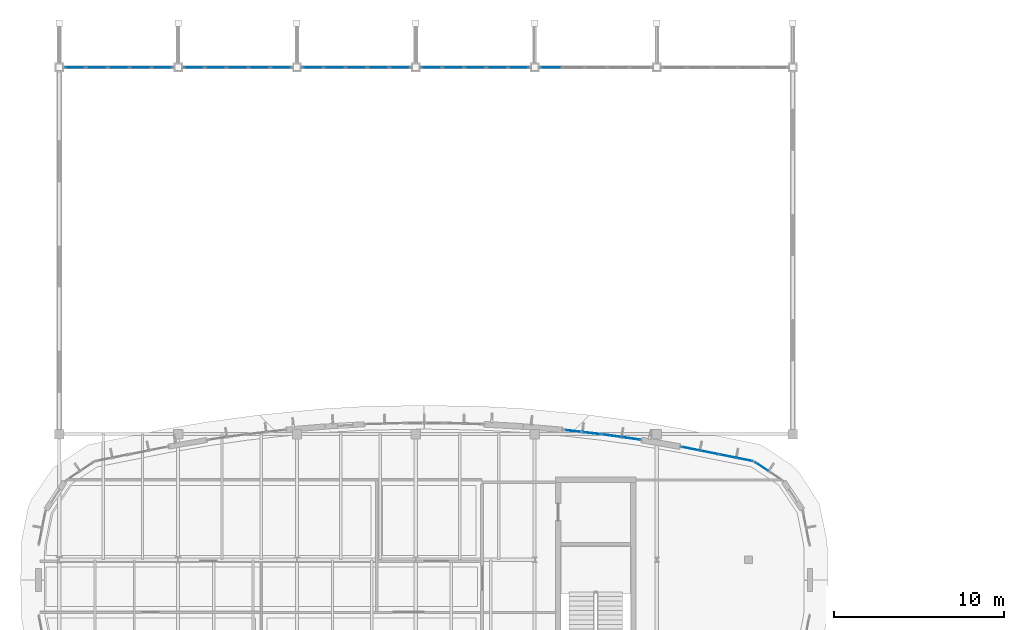
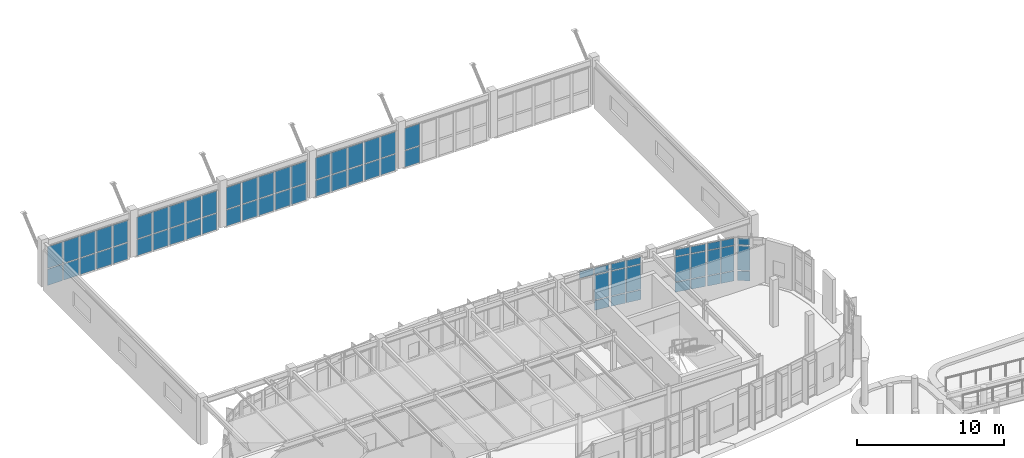
# One storey, part 74 of 111: 67 plates, 10 elements without a shape of their own.
"""IFC4 building model written with IfcOpenShell, lengths in metres."""

import ifcopenshell
import ifcopenshell.guid

model = None  # the IFC model being written
_history = None  # IfcOwnerHistory: only IFC2X3 demands one
_inside = {}  # id of a spatial element -> (the spatial element, [elements in it])
_under = {}  # id of a project, library or spatial element -> (it, [spatial elements below it])
_declared = {}  # id of a project -> (the project, [libraries it declares])
_typed = {}  # id of a type object -> (the type object, [elements of that type])
_made_of = {}  # id of a material, layer set ... -> (it, [elements and type objects made of it])


def new_model(schema):
    """Start an empty IFC model of exactly this schema.

    Asked for "IFC4X3", IfcOpenShell would pick the latest addendum, in which some entities
    have other attributes; the version numbers below select the first issue.
    IFC2X3 requires an IfcOwnerHistory on every rooted entity: one is made here for all.
    """
    global model, _history
    if schema == "IFC4X3":
        model = ifcopenshell.file(schema_version=(4, 3, 0, 0))
    else:
        model = ifcopenshell.file(schema=schema)
    _inside.clear()
    _under.clear()
    _declared.clear()
    _typed.clear()
    _made_of.clear()
    _history = None
    if model.schema == "IFC2X3":
        org = make("IfcOrganization", Name="unknown")
        user = make(
            "IfcPersonAndOrganization",
            ThePerson=make("IfcPerson", FamilyName="unknown"),
            TheOrganization=org,
        )
        app = make(
            "IfcApplication",
            ApplicationDeveloper=org,
            Version="unknown",
            ApplicationFullName="unknown",
            ApplicationIdentifier="unknown",
        )
        _history = make(
            "IfcOwnerHistory",
            OwningUser=user,
            OwningApplication=app,
            ChangeAction="ADDED",
            CreationDate=0,
        )
    return model


def make(cls, **values):
    """One entity of the class cls with the attributes given. An attribute that is None is left unset."""
    return model.create_entity(
        cls, **{name: value for name, value in values.items() if value is not None}
    )


def rooted(cls, **values):
    """An entity with a GlobalId (a new one), such as an element, a storey or a relation."""
    return make(cls, GlobalId=ifcopenshell.guid.new(), OwnerHistory=_history, **values)


def si_unit(unit_type, name, prefix=None):
    """IfcSIUnit, for example si_unit("LENGTHUNIT", "METRE", prefix="MILLI")."""
    return make("IfcSIUnit", UnitType=unit_type, Prefix=prefix, Name=name)


def assignment(units):
    """IfcUnitAssignment: the units of a project."""
    return None if units is None else make("IfcUnitAssignment", Units=units)


def point(xyz):
    """IfcCartesianPoint."""
    return None if xyz is None else make("IfcCartesianPoint", Coordinates=xyz)


def direction(xyz):
    """IfcDirection."""
    return None if xyz is None else make("IfcDirection", DirectionRatios=xyz)


def frame(location, z_axis=None, x_axis=None):
    """IfcAxis2Placement3D, a coordinate frame: its origin and axes. An axis left out is left unset."""
    return make(
        "IfcAxis2Placement3D",
        Location=point(location),
        Axis=direction(z_axis),
        RefDirection=direction(x_axis),
    )


def frame_2d(location, x_axis=None):
    """IfcAxis2Placement2D, a coordinate frame in the plane: its origin and x axis."""
    return make(
        "IfcAxis2Placement2D", Location=point(location), RefDirection=direction(x_axis)
    )


def origin():
    """The frame at (0, 0, 0) with its axes left unset."""
    return frame((0.0, 0.0, 0.0))


def origin_2d():
    """The frame at (0, 0) in the plane with its x axis left unset."""
    return frame_2d((0.0, 0.0))


def place(relative_to, where):
    """IfcLocalPlacement: puts the frame where relative to a parent placement (None: the world)."""
    return make(
        "IfcLocalPlacement", PlacementRelTo=relative_to, RelativePlacement=where
    )


def context(
    kind, dimensions, precision=None, world=None, true_north=None, identifier=None
):
    """IfcGeometricRepresentationContext, for example the 3D "Model" context."""
    return make(
        "IfcGeometricRepresentationContext",
        ContextIdentifier=identifier,
        ContextType=kind,
        CoordinateSpaceDimension=dimensions,
        Precision=precision,
        WorldCoordinateSystem=world,
        TrueNorth=true_north,
    )


def subcontext(parent, identifier, kind, view, scale=None):
    """IfcGeometricRepresentationSubContext, for example "Body" below "Model"."""
    return make(
        "IfcGeometricRepresentationSubContext",
        ContextIdentifier=identifier,
        ContextType=kind,
        ParentContext=parent,
        TargetScale=scale,
        TargetView=view,
    )


def project(units=None, contexts=None):
    """IfcProject with its units and contexts."""
    return rooted(
        "IfcProject",
        Name="project",
        RepresentationContexts=contexts,
        UnitsInContext=assignment(units),
    )


def spatial(cls, under=None, at=None, **own):
    """A site, building, storey or space (cls), placed at a placement, below another one or the project."""
    s = rooted(cls, ObjectPlacement=at, **own)
    if under is not None:
        _under.setdefault(under.id(), (under, []))[1].append(s)
    return s


def profile(cls, at=None, kind="AREA", **sizes):
    """A parametric profile (cls). Its sizes go by their IFC names, for example OverallWidth=200.0."""
    return make(cls, ProfileType=kind, Position=at, **sizes)


def rectangle(**sizes):
    """IfcRectangleProfileDef."""
    return profile("IfcRectangleProfileDef", **sizes)


def extrude(swept, where, along, depth):
    """IfcExtrudedAreaSolid: the profile swept, set in the frame where, extruded along a direction by depth."""
    return make(
        "IfcExtrudedAreaSolid",
        SweptArea=swept,
        Position=where,
        ExtrudedDirection=direction(along),
        Depth=depth,
    )


def shape(context_of_items, identifier, shape_type, items):
    """IfcShapeRepresentation: the items that make up one representation, for example the "Body"."""
    return make(
        "IfcShapeRepresentation",
        ContextOfItems=context_of_items,
        RepresentationIdentifier=identifier,
        RepresentationType=shape_type,
        Items=items,
    )


def material(Name=None, Category=None):
    """IfcMaterial."""
    return make("IfcMaterial", Name=Name, Category=Category)


def layer(
    of_material, thickness, ventilated=None, Name=None, Category=None, Priority=None
):
    """IfcMaterialLayer: one layer of a wall or slab, of a material (None: an air gap)."""
    return make(
        "IfcMaterialLayer",
        Material=of_material,
        LayerThickness=thickness,
        IsVentilated=ventilated,
        Name=Name,
        Category=Category,
        Priority=Priority,
    )


def layer_set(layers, Name=None):
    """IfcMaterialLayerSet."""
    return make("IfcMaterialLayerSet", MaterialLayers=layers, LayerSetName=Name)


def made_of(thing, what):
    """Note that an element or type object is made of a material, layer set ...; save() writes the relation."""
    if what is not None:
        _made_of.setdefault(what.id(), (what, []))[1].append(thing)
    return thing


def type_object(cls, material=None, **own):
    """A type object (cls), such as IfcWallType, which elements share."""
    return made_of(rooted(cls, **own), material)


def element(
    cls,
    number,
    at=None,
    inside=None,
    cuts=None,
    type_object=None,
    material=None,
    context=None,
    identifier="Body",
    shape_type=None,
    held_by="IfcProductDefinitionShape",
    body=None,
    shapes=None,
    **own,
):
    """One element of the class cls, such as IfcWall. Its Tag is "e" and its number.

    at: its placement. inside: the storey or other place that contains it. cuts: it is an
    opening in that element (IfcRelVoidsElement). A single representation is given by context,
    identifier, shape_type and body (its items); several are given by shapes. held_by: the class
    of the entity that holds the representations. save() writes the other relations.
    """
    e = rooted(cls, Tag="e%d" % number, ObjectPlacement=at, **own)
    if body is not None:
        shapes = [shape(context, identifier, shape_type, body)]
    if shapes is not None:
        e.Representation = make(held_by, Representations=shapes)
    if inside is not None:
        _inside.setdefault(inside.id(), (inside, []))[1].append(e)
    if cuts is not None:
        rooted(
            "IfcRelVoidsElement", RelatingBuildingElement=cuts, RelatedOpeningElement=e
        )
    if type_object is not None:
        _typed.setdefault(type_object.id(), (type_object, []))[1].append(e)
    return made_of(e, material)


def aggregate(whole, parts):
    """IfcRelAggregates: a whole, such as a stair, and the parts it consists of."""
    return rooted("IfcRelAggregates", RelatingObject=whole, RelatedObjects=parts)


def save(model, path):
    """Write the relations noted so far, then the file.

    IfcRelAggregates (storeys below a building ...), IfcRelContainedInSpatialStructure (elements
    in a storey), IfcRelDefinesByType, IfcRelAssociatesMaterial and IfcRelDeclares: one each for
    every whole, place, type object, material and project.
    """
    for whole, parts in _under.values():
        aggregate(whole, parts)
    for where, things in _inside.values():
        rooted(
            "IfcRelContainedInSpatialStructure",
            RelatedElements=things,
            RelatingStructure=where,
        )
    for kind, things in _typed.values():
        rooted("IfcRelDefinesByType", RelatedObjects=things, RelatingType=kind)
    for what, things in _made_of.values():
        rooted("IfcRelAssociatesMaterial", RelatedObjects=things, RelatingMaterial=what)
    for by, libraries in _declared.values():
        rooted("IfcRelDeclares", RelatingContext=by, RelatedDefinitions=libraries)
    model.write(path)


model = new_model("IFC4")

# Units and contexts
model_context = context("Model", 3, precision=1e-05, world=origin(), true_north=direction((0.0, 1.0)))
body_context = subcontext(model_context, "Body", "Model", "MODEL_VIEW")
ifc_project = project(units=[si_unit("LENGTHUNIT", "METRE"), si_unit("AREAUNIT", "SQUARE_METRE"), si_unit("VOLUMEUNIT", "CUBIC_METRE"), si_unit("PLANEANGLEUNIT", "RADIAN"), si_unit("MASSUNIT", "GRAM", prefix="KILO")], contexts=[model_context])

# Site, building, storey
site_placement = place(None, origin())
site = spatial("IfcSite", under=ifc_project, at=site_placement, CompositionType="ELEMENT")
building_placement = place(site_placement, origin())
building = spatial("IfcBuilding", under=site, at=building_placement, Name="Corveleigh Park Community Centre", CompositionType="ELEMENT")
storey_placement = place(building_placement, frame((0.0, 0.0, 4.800048828125)))
storey = spatial("IfcBuildingStorey", under=building, at=storey_placement, Name="L01", CompositionType="ELEMENT", Elevation=4.800048828125)

# Curtain wall, plates
ifc_material_1 = material(Name="Anodised aluminium 6063-T6", Category="aluminium")
curtain_wall_type = type_object("IfcCurtainWallType", Name="CW-SYS-V2-HALL", PredefinedType="NOTDEFINED", material=ifc_material_1)
curtain_wall_1_placement = place(storey_placement, origin())
curtain_wall_1 = element("IfcCurtainWall", 1, at=curtain_wall_1_placement, inside=storey, type_object=curtain_wall_type, Name="V2 L01 Curtain Wall 210", PredefinedType="NOTDEFINED")
ifc_material_2 = material(Name="Low-E double glazing", Category="glass")
ifc_layer_1 = layer(ifc_material_2, 0.031982421875, Name="Low-E double glazing", Category="glass")
ifc_layer_set_1 = layer_set([ifc_layer_1], Name="Low-E double glazing")
plate_type_1 = type_object("IfcPlateType", Name="CWP-GLZ-32", PredefinedType="CURTAIN_PANEL", material=ifc_layer_set_1)
plate_1_placement = place(storey_placement, frame((52.5791015625, 90.880859375, 0.080078125), z_axis=(0.0, 0.0, 1.0), x_axis=(0.831508500991, -0.555512027575, 0.0)))
plate_1 = element("IfcPlate", 2, at=plate_1_placement, type_object=plate_type_1, Name="CW04 panel 1.1", PredefinedType="CURTAIN_PANEL", context=body_context, shape_type="SweptSolid", body=[
    extrude(rectangle(XDim=0.8671875, YDim=0.031982421875, at=origin_2d()), origin(), (0.0, 0.0, 1.0), 0.780029296875),
])
plate_2_placement = place(storey_placement, frame((52.5791015625, 90.880859375, 0.93994140625), z_axis=(0.0, 0.0, 1.0), x_axis=(0.831508500991, -0.555512027575, 0.0)))
plate_2 = element("IfcPlate", 3, at=plate_2_placement, type_object=plate_type_1, Name="CW04 panel 1.2", PredefinedType="CURTAIN_PANEL", context=body_context, shape_type="SweptSolid", body=[
    extrude(rectangle(XDim=0.8671875, YDim=0.031982421875, at=origin_2d()), origin(), (0.0, 0.0, 1.0), 2.027099609375),
])
plate_3_placement = place(storey_placement, frame((52.5791015625, 90.880859375, 3.046875), z_axis=(0.0, 0.0, 1.0), x_axis=(0.831508500991, -0.555512027575, 0.0)))
plate_3 = element("IfcPlate", 4, at=plate_3_placement, type_object=plate_type_1, Name="CW04 panel 1.3", PredefinedType="CURTAIN_PANEL", context=body_context, shape_type="SweptSolid", body=[
    extrude(rectangle(XDim=0.8671875, YDim=0.031982421875, at=origin_2d()), origin(), (0.0, 0.0, 1.0), 0.530029296875),
])
aggregate(curtain_wall_1, [plate_1, plate_2, plate_3])

curtain_wall_2_placement = place(storey_placement, origin())
curtain_wall_2 = element("IfcCurtainWall", 5, at=curtain_wall_2_placement, inside=storey, type_object=curtain_wall_type, Name="Sports Hall North Clerestory CW 1", PredefinedType="NOTDEFINED")
plate_4_placement = place(storey_placement, frame((17.26123046875, 114.39990234375, -0.21826171875), z_axis=(0.0, 0.0, 1.0), x_axis=(-1.0, 0.0, 0.0)))
plate_4 = element("IfcPlate", 6, at=plate_4_placement, type_object=plate_type_1, Name="CW04 panel 1.1", PredefinedType="CURTAIN_PANEL", context=body_context, shape_type="SweptSolid", body=[
    extrude(rectangle(XDim=1.177490234375, YDim=0.031982421875, at=origin_2d()), origin(), (0.0, 0.0, 1.0), 1.344970703125),
])
plate_5_placement = place(storey_placement, frame((17.26123046875, 114.39990234375, 1.197021484375), z_axis=(0.0, 0.0, 1.0), x_axis=(-1.0, 0.0, 0.0)))
plate_5 = element("IfcPlate", 7, at=plate_5_placement, type_object=plate_type_1, Name="CW04 panel 1.2", PredefinedType="CURTAIN_PANEL", context=body_context, shape_type="SweptSolid", body=[
    extrude(rectangle(XDim=1.177490234375, YDim=0.031982421875, at=origin_2d()), origin(), (0.0, 0.0, 1.0), 1.7958984375),
])
plate_6_placement = place(storey_placement, frame((15.989990234375, 114.39990234375, -0.21826171875), z_axis=(0.0, 0.0, 1.0), x_axis=(-1.0, 0.0, 0.0)))
plate_6 = element("IfcPlate", 8, at=plate_6_placement, type_object=plate_type_1, Name="CW04 panel 2.1", PredefinedType="CURTAIN_PANEL", context=body_context, shape_type="SweptSolid", body=[
    extrude(rectangle(XDim=1.215087890625, YDim=0.031982421875, at=origin_2d()), origin(), (0.0, 0.0, 1.0), 1.344970703125),
])
plate_7_placement = place(storey_placement, frame((15.989990234375, 114.39990234375, 1.197021484375), z_axis=(0.0, 0.0, 1.0), x_axis=(-1.0, 0.0, 0.0)))
plate_7 = element("IfcPlate", 9, at=plate_7_placement, type_object=plate_type_1, Name="CW04 panel 2.2", PredefinedType="CURTAIN_PANEL", context=body_context, shape_type="SweptSolid", body=[
    extrude(rectangle(XDim=1.215087890625, YDim=0.031982421875, at=origin_2d()), origin(), (0.0, 0.0, 1.0), 1.7958984375),
])
plate_8_placement = place(storey_placement, frame((14.699951171875, 114.39990234375, -0.21826171875), z_axis=(0.0, 0.0, 1.0), x_axis=(-1.0, 0.0, 0.0)))
plate_8 = element("IfcPlate", 10, at=plate_8_placement, type_object=plate_type_1, Name="CW04 panel 3.1", PredefinedType="CURTAIN_PANEL", context=body_context, shape_type="SweptSolid", body=[
    extrude(rectangle(XDim=1.215087890625, YDim=0.031982421875, at=origin_2d()), origin(), (0.0, 0.0, 1.0), 1.344970703125),
])
plate_9_placement = place(storey_placement, frame((14.699951171875, 114.39990234375, 1.197021484375), z_axis=(0.0, 0.0, 1.0), x_axis=(-1.0, 0.0, 0.0)))
plate_9 = element("IfcPlate", 11, at=plate_9_placement, type_object=plate_type_1, Name="CW04 panel 3.2", PredefinedType="CURTAIN_PANEL", context=body_context, shape_type="SweptSolid", body=[
    extrude(rectangle(XDim=1.215087890625, YDim=0.031982421875, at=origin_2d()), origin(), (0.0, 0.0, 1.0), 1.7958984375),
])
plate_10_placement = place(storey_placement, frame((13.409912109375, 114.39990234375, -0.21826171875), z_axis=(0.0, 0.0, 1.0), x_axis=(-1.0, 0.0, 0.0)))
plate_10 = element("IfcPlate", 12, at=plate_10_placement, type_object=plate_type_1, Name="CW04 panel 4.1", PredefinedType="CURTAIN_PANEL", context=body_context, shape_type="SweptSolid", body=[
    extrude(rectangle(XDim=1.215087890625, YDim=0.031982421875, at=origin_2d()), origin(), (0.0, 0.0, 1.0), 1.344970703125),
])
plate_11_placement = place(storey_placement, frame((13.409912109375, 114.39990234375, 1.197021484375), z_axis=(0.0, 0.0, 1.0), x_axis=(-1.0, 0.0, 0.0)))
plate_11 = element("IfcPlate", 13, at=plate_11_placement, type_object=plate_type_1, Name="CW04 panel 4.2", PredefinedType="CURTAIN_PANEL", context=body_context, shape_type="SweptSolid", body=[
    extrude(rectangle(XDim=1.215087890625, YDim=0.031982421875, at=origin_2d()), origin(), (0.0, 0.0, 1.0), 1.7958984375),
])
plate_12_placement = place(storey_placement, frame((12.138671875, 114.39990234375, -0.21826171875), z_axis=(0.0, 0.0, 1.0), x_axis=(-1.0, 0.0, 0.0)))
plate_12 = element("IfcPlate", 14, at=plate_12_placement, type_object=plate_type_1, Name="CW04 panel 5.1", PredefinedType="CURTAIN_PANEL", context=body_context, shape_type="SweptSolid", body=[
    extrude(rectangle(XDim=1.177490234375, YDim=0.031982421875, at=origin_2d()), origin(), (0.0, 0.0, 1.0), 1.344970703125),
])
plate_13_placement = place(storey_placement, frame((12.138671875, 114.39990234375, 1.197021484375), z_axis=(0.0, 0.0, 1.0), x_axis=(-1.0, 0.0, 0.0)))
plate_13 = element("IfcPlate", 15, at=plate_13_placement, type_object=plate_type_1, Name="CW04 panel 5.2", PredefinedType="CURTAIN_PANEL", context=body_context, shape_type="SweptSolid", body=[
    extrude(rectangle(XDim=1.177490234375, YDim=0.031982421875, at=origin_2d()), origin(), (0.0, 0.0, 1.0), 1.7958984375),
])
aggregate(curtain_wall_2, [plate_4, plate_5, plate_6, plate_7, plate_8, plate_9, plate_10, plate_11, plate_12, plate_13])

curtain_wall_3_placement = place(storey_placement, origin())
curtain_wall_3 = element("IfcCurtainWall", 16, at=curtain_wall_3_placement, inside=storey, type_object=curtain_wall_type, Name="Sports Hall North Clerestory CW 2", PredefinedType="NOTDEFINED")
plate_14_placement = place(storey_placement, frame((24.26123046875, 114.39990234375, -0.21826171875), z_axis=(0.0, 0.0, 1.0), x_axis=(-1.0, 0.0, 0.0)))
plate_14 = element("IfcPlate", 17, at=plate_14_placement, type_object=plate_type_1, Name="CW04 panel 1.1", PredefinedType="CURTAIN_PANEL", context=body_context, shape_type="SweptSolid", body=[
    extrude(rectangle(XDim=1.177490234375, YDim=0.031982421875, at=origin_2d()), origin(), (0.0, 0.0, 1.0), 1.344970703125),
])
plate_15_placement = place(storey_placement, frame((24.26123046875, 114.39990234375, 1.197021484375), z_axis=(0.0, 0.0, 1.0), x_axis=(-1.0, 0.0, 0.0)))
plate_15 = element("IfcPlate", 18, at=plate_15_placement, type_object=plate_type_1, Name="CW04 panel 1.2", PredefinedType="CURTAIN_PANEL", context=body_context, shape_type="SweptSolid", body=[
    extrude(rectangle(XDim=1.177490234375, YDim=0.031982421875, at=origin_2d()), origin(), (0.0, 0.0, 1.0), 1.7958984375),
])
plate_16_placement = place(storey_placement, frame((22.989990234375, 114.39990234375, -0.21826171875), z_axis=(0.0, 0.0, 1.0), x_axis=(-1.0, 0.0, 0.0)))
plate_16 = element("IfcPlate", 19, at=plate_16_placement, type_object=plate_type_1, Name="CW04 panel 2.1", PredefinedType="CURTAIN_PANEL", context=body_context, shape_type="SweptSolid", body=[
    extrude(rectangle(XDim=1.215087890625, YDim=0.031982421875, at=origin_2d()), origin(), (0.0, 0.0, 1.0), 1.344970703125),
])
plate_17_placement = place(storey_placement, frame((22.989990234375, 114.39990234375, 1.197021484375), z_axis=(0.0, 0.0, 1.0), x_axis=(-1.0, 0.0, 0.0)))
plate_17 = element("IfcPlate", 20, at=plate_17_placement, type_object=plate_type_1, Name="CW04 panel 2.2", PredefinedType="CURTAIN_PANEL", context=body_context, shape_type="SweptSolid", body=[
    extrude(rectangle(XDim=1.215087890625, YDim=0.031982421875, at=origin_2d()), origin(), (0.0, 0.0, 1.0), 1.7958984375),
])
plate_18_placement = place(storey_placement, frame((21.699951171875, 114.39990234375, -0.21826171875), z_axis=(0.0, 0.0, 1.0), x_axis=(-1.0, 0.0, 0.0)))
plate_18 = element("IfcPlate", 21, at=plate_18_placement, type_object=plate_type_1, Name="CW04 panel 3.1", PredefinedType="CURTAIN_PANEL", context=body_context, shape_type="SweptSolid", body=[
    extrude(rectangle(XDim=1.215087890625, YDim=0.031982421875, at=origin_2d()), origin(), (0.0, 0.0, 1.0), 1.344970703125),
])
plate_19_placement = place(storey_placement, frame((21.699951171875, 114.39990234375, 1.197021484375), z_axis=(0.0, 0.0, 1.0), x_axis=(-1.0, 0.0, 0.0)))
plate_19 = element("IfcPlate", 22, at=plate_19_placement, type_object=plate_type_1, Name="CW04 panel 3.2", PredefinedType="CURTAIN_PANEL", context=body_context, shape_type="SweptSolid", body=[
    extrude(rectangle(XDim=1.215087890625, YDim=0.031982421875, at=origin_2d()), origin(), (0.0, 0.0, 1.0), 1.7958984375),
])
plate_20_placement = place(storey_placement, frame((20.409912109375, 114.39990234375, -0.21826171875), z_axis=(0.0, 0.0, 1.0), x_axis=(-1.0, 0.0, 0.0)))
plate_20 = element("IfcPlate", 23, at=plate_20_placement, type_object=plate_type_1, Name="CW04 panel 4.1", PredefinedType="CURTAIN_PANEL", context=body_context, shape_type="SweptSolid", body=[
    extrude(rectangle(XDim=1.215087890625, YDim=0.031982421875, at=origin_2d()), origin(), (0.0, 0.0, 1.0), 1.344970703125),
])
plate_21_placement = place(storey_placement, frame((20.409912109375, 114.39990234375, 1.197021484375), z_axis=(0.0, 0.0, 1.0), x_axis=(-1.0, 0.0, 0.0)))
plate_21 = element("IfcPlate", 24, at=plate_21_placement, type_object=plate_type_1, Name="CW04 panel 4.2", PredefinedType="CURTAIN_PANEL", context=body_context, shape_type="SweptSolid", body=[
    extrude(rectangle(XDim=1.215087890625, YDim=0.031982421875, at=origin_2d()), origin(), (0.0, 0.0, 1.0), 1.7958984375),
])
plate_22_placement = place(storey_placement, frame((19.138671875, 114.39990234375, -0.21826171875), z_axis=(0.0, 0.0, 1.0), x_axis=(-1.0, 0.0, 0.0)))
plate_22 = element("IfcPlate", 25, at=plate_22_placement, type_object=plate_type_1, Name="CW04 panel 5.1", PredefinedType="CURTAIN_PANEL", context=body_context, shape_type="SweptSolid", body=[
    extrude(rectangle(XDim=1.177490234375, YDim=0.031982421875, at=origin_2d()), origin(), (0.0, 0.0, 1.0), 1.344970703125),
])
plate_23_placement = place(storey_placement, frame((19.138671875, 114.39990234375, 1.197021484375), z_axis=(0.0, 0.0, 1.0), x_axis=(-1.0, 0.0, 0.0)))
plate_23 = element("IfcPlate", 26, at=plate_23_placement, type_object=plate_type_1, Name="CW04 panel 5.2", PredefinedType="CURTAIN_PANEL", context=body_context, shape_type="SweptSolid", body=[
    extrude(rectangle(XDim=1.177490234375, YDim=0.031982421875, at=origin_2d()), origin(), (0.0, 0.0, 1.0), 1.7958984375),
])
aggregate(curtain_wall_3, [plate_14, plate_15, plate_16, plate_17, plate_18, plate_19, plate_20, plate_21, plate_22, plate_23])

curtain_wall_4_placement = place(storey_placement, origin())
curtain_wall_4 = element("IfcCurtainWall", 27, at=curtain_wall_4_placement, inside=storey, type_object=curtain_wall_type, Name="Sports Hall North Clerestory CW 3", PredefinedType="NOTDEFINED")
plate_24_placement = place(storey_placement, frame((31.26123046875, 114.39990234375, -0.21826171875), z_axis=(0.0, 0.0, 1.0), x_axis=(-1.0, 0.0, 0.0)))
plate_24 = element("IfcPlate", 28, at=plate_24_placement, type_object=plate_type_1, Name="CW04 panel 1.1", PredefinedType="CURTAIN_PANEL", context=body_context, shape_type="SweptSolid", body=[
    extrude(rectangle(XDim=1.177490234375, YDim=0.031982421875, at=origin_2d()), origin(), (0.0, 0.0, 1.0), 1.344970703125),
])
plate_25_placement = place(storey_placement, frame((31.26123046875, 114.39990234375, 1.197021484375), z_axis=(0.0, 0.0, 1.0), x_axis=(-1.0, 0.0, 0.0)))
plate_25 = element("IfcPlate", 29, at=plate_25_placement, type_object=plate_type_1, Name="CW04 panel 1.2", PredefinedType="CURTAIN_PANEL", context=body_context, shape_type="SweptSolid", body=[
    extrude(rectangle(XDim=1.177490234375, YDim=0.031982421875, at=origin_2d()), origin(), (0.0, 0.0, 1.0), 1.7958984375),
])
plate_26_placement = place(storey_placement, frame((29.989990234375, 114.39990234375, -0.21826171875), z_axis=(0.0, 0.0, 1.0), x_axis=(-1.0, 0.0, 0.0)))
plate_26 = element("IfcPlate", 30, at=plate_26_placement, type_object=plate_type_1, Name="CW04 panel 2.1", PredefinedType="CURTAIN_PANEL", context=body_context, shape_type="SweptSolid", body=[
    extrude(rectangle(XDim=1.215087890625, YDim=0.031982421875, at=origin_2d()), origin(), (0.0, 0.0, 1.0), 1.344970703125),
])
plate_27_placement = place(storey_placement, frame((29.989990234375, 114.39990234375, 1.197021484375), z_axis=(0.0, 0.0, 1.0), x_axis=(-1.0, 0.0, 0.0)))
plate_27 = element("IfcPlate", 31, at=plate_27_placement, type_object=plate_type_1, Name="CW04 panel 2.2", PredefinedType="CURTAIN_PANEL", context=body_context, shape_type="SweptSolid", body=[
    extrude(rectangle(XDim=1.215087890625, YDim=0.031982421875, at=origin_2d()), origin(), (0.0, 0.0, 1.0), 1.7958984375),
])
plate_28_placement = place(storey_placement, frame((28.699951171875, 114.39990234375, -0.21826171875), z_axis=(0.0, 0.0, 1.0), x_axis=(-1.0, 0.0, 0.0)))
plate_28 = element("IfcPlate", 32, at=plate_28_placement, type_object=plate_type_1, Name="CW04 panel 3.1", PredefinedType="CURTAIN_PANEL", context=body_context, shape_type="SweptSolid", body=[
    extrude(rectangle(XDim=1.215087890625, YDim=0.031982421875, at=origin_2d()), origin(), (0.0, 0.0, 1.0), 1.344970703125),
])
plate_29_placement = place(storey_placement, frame((28.699951171875, 114.39990234375, 1.197021484375), z_axis=(0.0, 0.0, 1.0), x_axis=(-1.0, 0.0, 0.0)))
plate_29 = element("IfcPlate", 33, at=plate_29_placement, type_object=plate_type_1, Name="CW04 panel 3.2", PredefinedType="CURTAIN_PANEL", context=body_context, shape_type="SweptSolid", body=[
    extrude(rectangle(XDim=1.215087890625, YDim=0.031982421875, at=origin_2d()), origin(), (0.0, 0.0, 1.0), 1.7958984375),
])
plate_30_placement = place(storey_placement, frame((27.409912109375, 114.39990234375, -0.21826171875), z_axis=(0.0, 0.0, 1.0), x_axis=(-1.0, 0.0, 0.0)))
plate_30 = element("IfcPlate", 34, at=plate_30_placement, type_object=plate_type_1, Name="CW04 panel 4.1", PredefinedType="CURTAIN_PANEL", context=body_context, shape_type="SweptSolid", body=[
    extrude(rectangle(XDim=1.215087890625, YDim=0.031982421875, at=origin_2d()), origin(), (0.0, 0.0, 1.0), 1.344970703125),
])
plate_31_placement = place(storey_placement, frame((27.409912109375, 114.39990234375, 1.197021484375), z_axis=(0.0, 0.0, 1.0), x_axis=(-1.0, 0.0, 0.0)))
plate_31 = element("IfcPlate", 35, at=plate_31_placement, type_object=plate_type_1, Name="CW04 panel 4.2", PredefinedType="CURTAIN_PANEL", context=body_context, shape_type="SweptSolid", body=[
    extrude(rectangle(XDim=1.215087890625, YDim=0.031982421875, at=origin_2d()), origin(), (0.0, 0.0, 1.0), 1.7958984375),
])
plate_32_placement = place(storey_placement, frame((26.138671875, 114.39990234375, -0.21826171875), z_axis=(0.0, 0.0, 1.0), x_axis=(-1.0, 0.0, 0.0)))
plate_32 = element("IfcPlate", 36, at=plate_32_placement, type_object=plate_type_1, Name="CW04 panel 5.1", PredefinedType="CURTAIN_PANEL", context=body_context, shape_type="SweptSolid", body=[
    extrude(rectangle(XDim=1.177490234375, YDim=0.031982421875, at=origin_2d()), origin(), (0.0, 0.0, 1.0), 1.344970703125),
])
plate_33_placement = place(storey_placement, frame((26.138671875, 114.39990234375, 1.197021484375), z_axis=(0.0, 0.0, 1.0), x_axis=(-1.0, 0.0, 0.0)))
plate_33 = element("IfcPlate", 37, at=plate_33_placement, type_object=plate_type_1, Name="CW04 panel 5.2", PredefinedType="CURTAIN_PANEL", context=body_context, shape_type="SweptSolid", body=[
    extrude(rectangle(XDim=1.177490234375, YDim=0.031982421875, at=origin_2d()), origin(), (0.0, 0.0, 1.0), 1.7958984375),
])
aggregate(curtain_wall_4, [plate_24, plate_25, plate_26, plate_27, plate_28, plate_29, plate_30, plate_31, plate_32, plate_33])

curtain_wall_5_placement = place(storey_placement, origin())
curtain_wall_5 = element("IfcCurtainWall", 38, at=curtain_wall_5_placement, inside=storey, type_object=curtain_wall_type, Name="Sports Hall North Clerestory CW 4", PredefinedType="NOTDEFINED")
plate_34_placement = place(storey_placement, frame((38.26123046875, 114.39990234375, -0.21826171875), z_axis=(0.0, 0.0, 1.0), x_axis=(-1.0, 0.0, 0.0)))
plate_34 = element("IfcPlate", 39, at=plate_34_placement, type_object=plate_type_1, Name="CW04 panel 1.1", PredefinedType="CURTAIN_PANEL", context=body_context, shape_type="SweptSolid", body=[
    extrude(rectangle(XDim=1.177490234375, YDim=0.031982421875, at=origin_2d()), origin(), (0.0, 0.0, 1.0), 1.344970703125),
])
plate_35_placement = place(storey_placement, frame((38.26123046875, 114.39990234375, 1.197021484375), z_axis=(0.0, 0.0, 1.0), x_axis=(-1.0, 0.0, 0.0)))
plate_35 = element("IfcPlate", 40, at=plate_35_placement, type_object=plate_type_1, Name="CW04 panel 1.2", PredefinedType="CURTAIN_PANEL", context=body_context, shape_type="SweptSolid", body=[
    extrude(rectangle(XDim=1.177490234375, YDim=0.031982421875, at=origin_2d()), origin(), (0.0, 0.0, 1.0), 1.7958984375),
])
plate_36_placement = place(storey_placement, frame((36.989990234375, 114.39990234375, -0.21826171875), z_axis=(0.0, 0.0, 1.0), x_axis=(-1.0, 0.0, 0.0)))
plate_36 = element("IfcPlate", 41, at=plate_36_placement, type_object=plate_type_1, Name="CW04 panel 2.1", PredefinedType="CURTAIN_PANEL", context=body_context, shape_type="SweptSolid", body=[
    extrude(rectangle(XDim=1.215087890625, YDim=0.031982421875, at=origin_2d()), origin(), (0.0, 0.0, 1.0), 1.344970703125),
])
plate_37_placement = place(storey_placement, frame((36.989990234375, 114.39990234375, 1.197021484375), z_axis=(0.0, 0.0, 1.0), x_axis=(-1.0, 0.0, 0.0)))
plate_37 = element("IfcPlate", 42, at=plate_37_placement, type_object=plate_type_1, Name="CW04 panel 2.2", PredefinedType="CURTAIN_PANEL", context=body_context, shape_type="SweptSolid", body=[
    extrude(rectangle(XDim=1.215087890625, YDim=0.031982421875, at=origin_2d()), origin(), (0.0, 0.0, 1.0), 1.7958984375),
])
plate_38_placement = place(storey_placement, frame((35.699951171875, 114.39990234375, -0.21826171875), z_axis=(0.0, 0.0, 1.0), x_axis=(-1.0, 0.0, 0.0)))
plate_38 = element("IfcPlate", 43, at=plate_38_placement, type_object=plate_type_1, Name="CW04 panel 3.1", PredefinedType="CURTAIN_PANEL", context=body_context, shape_type="SweptSolid", body=[
    extrude(rectangle(XDim=1.215087890625, YDim=0.031982421875, at=origin_2d()), origin(), (0.0, 0.0, 1.0), 1.344970703125),
])
plate_39_placement = place(storey_placement, frame((35.699951171875, 114.39990234375, 1.197021484375), z_axis=(0.0, 0.0, 1.0), x_axis=(-1.0, 0.0, 0.0)))
plate_39 = element("IfcPlate", 44, at=plate_39_placement, type_object=plate_type_1, Name="CW04 panel 3.2", PredefinedType="CURTAIN_PANEL", context=body_context, shape_type="SweptSolid", body=[
    extrude(rectangle(XDim=1.215087890625, YDim=0.031982421875, at=origin_2d()), origin(), (0.0, 0.0, 1.0), 1.7958984375),
])
plate_40_placement = place(storey_placement, frame((34.409912109375, 114.39990234375, -0.21826171875), z_axis=(0.0, 0.0, 1.0), x_axis=(-1.0, 0.0, 0.0)))
plate_40 = element("IfcPlate", 45, at=plate_40_placement, type_object=plate_type_1, Name="CW04 panel 4.1", PredefinedType="CURTAIN_PANEL", context=body_context, shape_type="SweptSolid", body=[
    extrude(rectangle(XDim=1.215087890625, YDim=0.031982421875, at=origin_2d()), origin(), (0.0, 0.0, 1.0), 1.344970703125),
])
plate_41_placement = place(storey_placement, frame((34.409912109375, 114.39990234375, 1.197021484375), z_axis=(0.0, 0.0, 1.0), x_axis=(-1.0, 0.0, 0.0)))
plate_41 = element("IfcPlate", 46, at=plate_41_placement, type_object=plate_type_1, Name="CW04 panel 4.2", PredefinedType="CURTAIN_PANEL", context=body_context, shape_type="SweptSolid", body=[
    extrude(rectangle(XDim=1.215087890625, YDim=0.031982421875, at=origin_2d()), origin(), (0.0, 0.0, 1.0), 1.7958984375),
])
plate_42_placement = place(storey_placement, frame((33.138671875, 114.39990234375, -0.21826171875), z_axis=(0.0, 0.0, 1.0), x_axis=(-1.0, 0.0, 0.0)))
plate_42 = element("IfcPlate", 47, at=plate_42_placement, type_object=plate_type_1, Name="CW04 panel 5.1", PredefinedType="CURTAIN_PANEL", context=body_context, shape_type="SweptSolid", body=[
    extrude(rectangle(XDim=1.177490234375, YDim=0.031982421875, at=origin_2d()), origin(), (0.0, 0.0, 1.0), 1.344970703125),
])
plate_43_placement = place(storey_placement, frame((33.138671875, 114.39990234375, 1.197021484375), z_axis=(0.0, 0.0, 1.0), x_axis=(-1.0, 0.0, 0.0)))
plate_43 = element("IfcPlate", 48, at=plate_43_placement, type_object=plate_type_1, Name="CW04 panel 5.2", PredefinedType="CURTAIN_PANEL", context=body_context, shape_type="SweptSolid", body=[
    extrude(rectangle(XDim=1.177490234375, YDim=0.031982421875, at=origin_2d()), origin(), (0.0, 0.0, 1.0), 1.7958984375),
])
aggregate(curtain_wall_5, [plate_34, plate_35, plate_36, plate_37, plate_38, plate_39, plate_40, plate_41, plate_42, plate_43])

curtain_wall_6_placement = place(storey_placement, origin())
curtain_wall_6 = element("IfcCurtainWall", 49, at=curtain_wall_6_placement, inside=storey, type_object=curtain_wall_type, Name="Sports Hall North Clerestory CW 5", PredefinedType="NOTDEFINED")
plate_44_placement = place(storey_placement, frame((40.15869140625, 114.39990234375, -0.21826171875), z_axis=(0.0, 0.0, 1.0), x_axis=(-1.0, 0.0, 0.0)))
plate_44 = element("IfcPlate", 50, at=plate_44_placement, type_object=plate_type_1, Name="CW04 panel 5.1", PredefinedType="CURTAIN_PANEL", context=body_context, shape_type="SweptSolid", body=[
    extrude(rectangle(XDim=1.217529296875, YDim=0.031982421875, at=origin_2d()), origin(), (0.0, 0.0, 1.0), 1.344970703125),
])
plate_45_placement = place(storey_placement, frame((40.15869140625, 114.39990234375, 1.197021484375), z_axis=(0.0, 0.0, 1.0), x_axis=(-1.0, 0.0, 0.0)))
plate_45 = element("IfcPlate", 51, at=plate_45_placement, type_object=plate_type_1, Name="CW04 panel 5.2", PredefinedType="CURTAIN_PANEL", context=body_context, shape_type="SweptSolid", body=[
    extrude(rectangle(XDim=1.217529296875, YDim=0.031982421875, at=origin_2d()), origin(), (0.0, 0.0, 1.0), 1.7958984375),
])
aggregate(curtain_wall_6, [plate_44, plate_45])

curtain_wall_7_placement = place(storey_placement, origin())
curtain_wall_7 = element("IfcCurtainWall", 52, at=curtain_wall_7_placement, inside=storey, type_object=curtain_wall_type, Name="V2 L01 Curtain Wall 211", PredefinedType="NOTDEFINED")
ifc_layer_2 = layer(ifc_material_2, 0.035888671875, Name="Low-E double glazing", Category="glass")
ifc_layer_set_2 = layer_set([ifc_layer_2], Name="Low-E double glazing")
plate_type_2 = type_object("IfcPlateType", Name="CWP-GLZ-36", PredefinedType="CURTAIN_PANEL", material=ifc_layer_set_2)
plate_46_placement = place(storey_placement, frame((50.58984375, 91.4970703125, 0.059814453125), z_axis=(0.0, 0.0, 1.0), x_axis=(0.980750988442, -0.195262640231, 0.0)))
plate_46 = element("IfcPlate", 53, at=plate_46_placement, type_object=plate_type_2, Name="CW04 panel 1.1", PredefinedType="CURTAIN_PANEL", context=body_context, shape_type="SweptSolid", body=[
    extrude(rectangle(XDim=0.924072265625, YDim=0.035888671875, at=origin_2d()), origin(), (0.0, 0.0, 1.0), 0.81005859375),
])
plate_47_placement = place(storey_placement, frame((50.58984375, 91.4970703125, 0.9296875), z_axis=(0.0, 0.0, 1.0), x_axis=(0.980750988442, -0.195262640231, 0.0)))
plate_47 = element("IfcPlate", 54, at=plate_47_placement, type_object=plate_type_2, Name="CW04 panel 1.2", PredefinedType="CURTAIN_PANEL", context=body_context, shape_type="SweptSolid", body=[
    extrude(rectangle(XDim=0.924072265625, YDim=0.035888671875, at=origin_2d()), origin(), (0.0, 0.0, 1.0), 2.047119140625),
])
plate_48_placement = place(storey_placement, frame((50.58984375, 91.4970703125, 3.036865234375), z_axis=(0.0, 0.0, 1.0), x_axis=(0.980750988442, -0.195262640231, 0.0)))
plate_48 = element("IfcPlate", 55, at=plate_48_placement, type_object=plate_type_2, Name="CW04 panel 1.3", PredefinedType="CURTAIN_PANEL", context=body_context, shape_type="SweptSolid", body=[
    extrude(rectangle(XDim=0.924072265625, YDim=0.035888671875, at=origin_2d()), origin(), (0.0, 0.0, 1.0), 0.56005859375),
])
plate_49_placement = place(storey_placement, frame((51.554931640625, 91.304931640625, 0.059814453125), z_axis=(0.0, 0.0, 1.0), x_axis=(0.980750988442, -0.195262640231, 0.0)))
plate_49 = element("IfcPlate", 56, at=plate_49_placement, type_object=plate_type_2, Name="CW04 panel 2.1", PredefinedType="CURTAIN_PANEL", context=body_context, shape_type="SweptSolid", body=[
    extrude(rectangle(XDim=0.924072265625, YDim=0.035888671875, at=origin_2d()), origin(), (0.0, 0.0, 1.0), 0.81005859375),
])
plate_50_placement = place(storey_placement, frame((51.554931640625, 91.304931640625, 0.9296875), z_axis=(0.0, 0.0, 1.0), x_axis=(0.980750988442, -0.195262640231, 0.0)))
plate_50 = element("IfcPlate", 57, at=plate_50_placement, type_object=plate_type_2, Name="CW04 panel 2.2", PredefinedType="CURTAIN_PANEL", context=body_context, shape_type="SweptSolid", body=[
    extrude(rectangle(XDim=0.924072265625, YDim=0.035888671875, at=origin_2d()), origin(), (0.0, 0.0, 1.0), 2.047119140625),
])
plate_51_placement = place(storey_placement, frame((51.554931640625, 91.304931640625, 3.036865234375), z_axis=(0.0, 0.0, 1.0), x_axis=(0.980750988442, -0.195262640231, 0.0)))
plate_51 = element("IfcPlate", 58, at=plate_51_placement, type_object=plate_type_2, Name="CW04 panel 2.3", PredefinedType="CURTAIN_PANEL", context=body_context, shape_type="SweptSolid", body=[
    extrude(rectangle(XDim=0.924072265625, YDim=0.035888671875, at=origin_2d()), origin(), (0.0, 0.0, 1.0), 0.56005859375),
])
aggregate(curtain_wall_7, [plate_46, plate_47, plate_48, plate_49, plate_50, plate_51])

curtain_wall_8_placement = place(storey_placement, origin())
curtain_wall_8 = element("IfcCurtainWall", 59, at=curtain_wall_8_placement, inside=storey, type_object=curtain_wall_type, Name="V2 L01 Curtain Wall 212", PredefinedType="NOTDEFINED")
plate_52_placement = place(storey_placement, frame((48.377197265625, 91.9404296875, 0.06494140625), z_axis=(0.0, 0.0, 1.0), x_axis=(0.980381101638, -0.197111378544, 0.0)))
plate_52 = element("IfcPlate", 60, at=plate_52_placement, type_object=plate_type_2, Name="CW04 panel 1.1", PredefinedType="CURTAIN_PANEL", context=body_context, shape_type="SweptSolid", body=[
    extrude(rectangle(XDim=1.061767578125, YDim=0.035888671875, at=origin_2d()), origin(), (0.0, 0.0, 1.0), 0.802490234375),
])
plate_53_placement = place(storey_placement, frame((48.377197265625, 91.9404296875, 0.932373046875), z_axis=(0.0, 0.0, 1.0), x_axis=(0.980381101638, -0.197111378544, 0.0)))
plate_53 = element("IfcPlate", 61, at=plate_53_placement, type_object=plate_type_2, Name="CW04 panel 1.2", PredefinedType="CURTAIN_PANEL", context=body_context, shape_type="SweptSolid", body=[
    extrude(rectangle(XDim=1.061767578125, YDim=0.035888671875, at=origin_2d()), origin(), (0.0, 0.0, 1.0), 2.0419921875),
])
plate_54_placement = place(storey_placement, frame((48.377197265625, 91.9404296875, 3.03955078125), z_axis=(0.0, 0.0, 1.0), x_axis=(0.980381101638, -0.197111378544, 0.0)))
plate_54 = element("IfcPlate", 62, at=plate_54_placement, type_object=plate_type_2, Name="CW04 panel 1.3", PredefinedType="CURTAIN_PANEL", context=body_context, shape_type="SweptSolid", body=[
    extrude(rectangle(XDim=1.061767578125, YDim=0.035888671875, at=origin_2d()), origin(), (0.0, 0.0, 1.0), 0.552490234375),
])
plate_55_placement = place(storey_placement, frame((49.48193359375, 91.718505859375, 0.06494140625), z_axis=(0.0, 0.0, 1.0), x_axis=(0.980381101638, -0.197111378544, 0.0)))
plate_55 = element("IfcPlate", 63, at=plate_55_placement, type_object=plate_type_2, Name="CW04 panel 2.1", PredefinedType="CURTAIN_PANEL", context=body_context, shape_type="SweptSolid", body=[
    extrude(rectangle(XDim=1.061767578125, YDim=0.035888671875, at=origin_2d()), origin(), (0.0, 0.0, 1.0), 0.802490234375),
])
plate_56_placement = place(storey_placement, frame((49.48193359375, 91.718505859375, 0.932373046875), z_axis=(0.0, 0.0, 1.0), x_axis=(0.980381101638, -0.197111378544, 0.0)))
plate_56 = element("IfcPlate", 64, at=plate_56_placement, type_object=plate_type_2, Name="CW04 panel 2.2", PredefinedType="CURTAIN_PANEL", context=body_context, shape_type="SweptSolid", body=[
    extrude(rectangle(XDim=1.061767578125, YDim=0.035888671875, at=origin_2d()), origin(), (0.0, 0.0, 1.0), 2.0419921875),
])
plate_57_placement = place(storey_placement, frame((49.48193359375, 91.718505859375, 3.03955078125), z_axis=(0.0, 0.0, 1.0), x_axis=(0.980381101638, -0.197111378544, 0.0)))
plate_57 = element("IfcPlate", 65, at=plate_57_placement, type_object=plate_type_2, Name="CW04 panel 2.3", PredefinedType="CURTAIN_PANEL", context=body_context, shape_type="SweptSolid", body=[
    extrude(rectangle(XDim=1.061767578125, YDim=0.035888671875, at=origin_2d()), origin(), (0.0, 0.0, 1.0), 0.552490234375),
])
aggregate(curtain_wall_8, [plate_52, plate_53, plate_54, plate_55, plate_56, plate_57])

curtain_wall_9_placement = place(storey_placement, origin())
curtain_wall_9 = element("IfcCurtainWall", 66, at=curtain_wall_9_placement, inside=storey, type_object=curtain_wall_type, Name="V2 L01 Curtain Wall 213", PredefinedType="NOTDEFINED")
ifc_layer_3 = layer(ifc_material_2, 0.0400390625, Name="Low-E double glazing", Category="glass")
ifc_layer_set_3 = layer_set([ifc_layer_3], Name="Low-E double glazing")
plate_type_3 = type_object("IfcPlateType", Name="CWP-GLZ-40", PredefinedType="CURTAIN_PANEL", material=ifc_layer_set_3)
plate_58_placement = place(storey_placement, frame((43.7734375, 92.698486328125, 0.070068359375), z_axis=(0.0, 0.0, 1.0), x_axis=(0.989914912111, -0.141663216042, 0.0)))
plate_58 = element("IfcPlate", 67, at=plate_58_placement, type_object=plate_type_3, Name="CW04 panel 1.1", PredefinedType="CURTAIN_PANEL", context=body_context, shape_type="SweptSolid", body=[
    extrude(rectangle(XDim=1.052734375, YDim=0.0400390625, at=origin_2d()), origin(), (0.0, 0.0, 1.0), 0.794921875),
])
plate_59_placement = place(storey_placement, frame((43.7734375, 92.698486328125, 0.934814453125), z_axis=(0.0, 0.0, 1.0), x_axis=(0.989914912111, -0.141663216042, 0.0)))
plate_59 = element("IfcPlate", 68, at=plate_59_placement, type_object=plate_type_3, Name="CW04 panel 1.2", PredefinedType="CURTAIN_PANEL", context=body_context, shape_type="SweptSolid", body=[
    extrude(rectangle(XDim=1.052734375, YDim=0.0400390625, at=origin_2d()), origin(), (0.0, 0.0, 1.0), 2.037109375),
])
plate_60_placement = place(storey_placement, frame((43.7734375, 92.698486328125, 3.0419921875), z_axis=(0.0, 0.0, 1.0), x_axis=(0.989914912111, -0.141663216042, 0.0)))
plate_60 = element("IfcPlate", 69, at=plate_60_placement, type_object=plate_type_3, Name="CW04 panel 1.3", PredefinedType="CURTAIN_PANEL", context=body_context, shape_type="SweptSolid", body=[
    extrude(rectangle(XDim=1.052734375, YDim=0.0400390625, at=origin_2d()), origin(), (0.0, 0.0, 1.0), 0.544921875),
])
plate_61_placement = place(storey_placement, frame((44.884765625, 92.53955078125, 0.070068359375), z_axis=(0.0, 0.0, 1.0), x_axis=(0.989914912111, -0.141663216042, 0.0)))
plate_61 = element("IfcPlate", 70, at=plate_61_placement, type_object=plate_type_3, Name="CW04 panel 2.1", PredefinedType="CURTAIN_PANEL", context=body_context, shape_type="SweptSolid", body=[
    extrude(rectangle(XDim=1.052734375, YDim=0.0400390625, at=origin_2d()), origin(), (0.0, 0.0, 1.0), 0.794921875),
])
plate_62_placement = place(storey_placement, frame((44.884765625, 92.53955078125, 0.934814453125), z_axis=(0.0, 0.0, 1.0), x_axis=(0.989914912111, -0.141663216042, 0.0)))
plate_62 = element("IfcPlate", 71, at=plate_62_placement, type_object=plate_type_3, Name="CW04 panel 2.2", PredefinedType="CURTAIN_PANEL", context=body_context, shape_type="SweptSolid", body=[
    extrude(rectangle(XDim=1.052734375, YDim=0.0400390625, at=origin_2d()), origin(), (0.0, 0.0, 1.0), 2.037109375),
])
plate_63_placement = place(storey_placement, frame((44.884765625, 92.53955078125, 3.0419921875), z_axis=(0.0, 0.0, 1.0), x_axis=(0.989914912111, -0.141663216042, 0.0)))
plate_63 = element("IfcPlate", 72, at=plate_63_placement, type_object=plate_type_3, Name="CW04 panel 2.3", PredefinedType="CURTAIN_PANEL", context=body_context, shape_type="SweptSolid", body=[
    extrude(rectangle(XDim=1.052734375, YDim=0.0400390625, at=origin_2d()), origin(), (0.0, 0.0, 1.0), 0.544921875),
])
aggregate(curtain_wall_9, [plate_58, plate_59, plate_60, plate_61, plate_62, plate_63])

curtain_wall_10_placement = place(storey_placement, origin())
curtain_wall_10 = element("IfcCurtainWall", 73, at=curtain_wall_10_placement, inside=storey, type_object=curtain_wall_type, Name="V2 L01 Curtain Wall 214", PredefinedType="NOTDEFINED")
plate_64_placement = place(storey_placement, frame((41.457763671875, 92.9794921875, 3.04443359375), z_axis=(0.0, 0.0, 1.0), x_axis=(0.99357990731, -0.113132523128, 0.0)))
plate_64 = element("IfcPlate", 74, at=plate_64_placement, type_object=plate_type_3, Name="CW04 panel 1.3", PredefinedType="CURTAIN_PANEL", context=body_context, shape_type="SweptSolid", body=[
    extrude(rectangle(XDim=1.04541015625, YDim=0.0400390625, at=origin_2d()), origin(), (0.0, 0.0, 1.0), 0.53759765625),
])
plate_65_placement = place(storey_placement, frame((42.571044921875, 92.8525390625, 0.074951171875), z_axis=(0.0, 0.0, 1.0), x_axis=(0.99357990731, -0.113132523128, 0.0)))
plate_65 = element("IfcPlate", 75, at=plate_65_placement, type_object=plate_type_3, Name="CW04 panel 2.1", PredefinedType="CURTAIN_PANEL", context=body_context, shape_type="SweptSolid", body=[
    extrude(rectangle(XDim=1.04541015625, YDim=0.0400390625, at=origin_2d()), origin(), (0.0, 0.0, 1.0), 0.78759765625),
])
plate_66_placement = place(storey_placement, frame((42.571044921875, 92.8525390625, 0.9375), z_axis=(0.0, 0.0, 1.0), x_axis=(0.99357990731, -0.113132523128, 0.0)))
plate_66 = element("IfcPlate", 76, at=plate_66_placement, type_object=plate_type_3, Name="CW04 panel 2.2", PredefinedType="CURTAIN_PANEL", context=body_context, shape_type="SweptSolid", body=[
    extrude(rectangle(XDim=1.04541015625, YDim=0.0400390625, at=origin_2d()), origin(), (0.0, 0.0, 1.0), 2.031982421875),
])
plate_67_placement = place(storey_placement, frame((42.571044921875, 92.8525390625, 3.04443359375), z_axis=(0.0, 0.0, 1.0), x_axis=(0.99357990731, -0.113132523128, 0.0)))
plate_67 = element("IfcPlate", 77, at=plate_67_placement, type_object=plate_type_3, Name="CW04 panel 2.3", PredefinedType="CURTAIN_PANEL", context=body_context, shape_type="SweptSolid", body=[
    extrude(rectangle(XDim=1.04541015625, YDim=0.0400390625, at=origin_2d()), origin(), (0.0, 0.0, 1.0), 0.53759765625),
])
aggregate(curtain_wall_10, [plate_64, plate_65, plate_66, plate_67])

save(model, "model.ifc")
